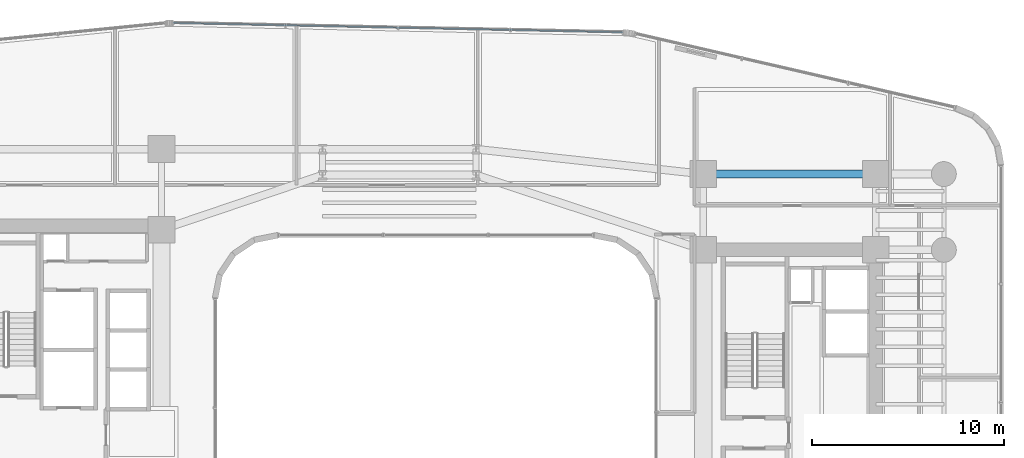
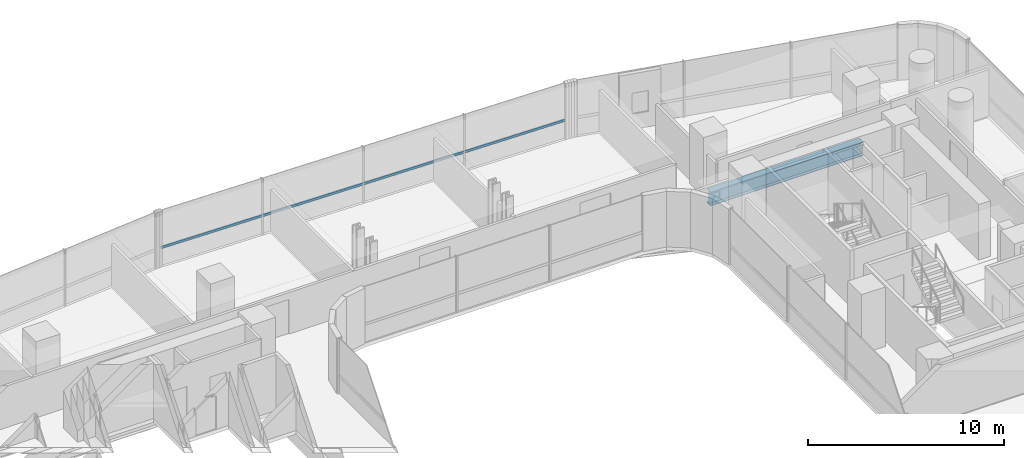
# One storey, part 24 of 40: 1 beam, 1 member, 1 element without a shape of its own.
"""IFC4 building model written with IfcOpenShell, lengths in metres."""

from ifc_helpers import new_model, si_unit, direction, frame, origin, origin_2d, place, context, subcontext, project, spatial, hollow_rectangle, i_section, extrude, source, transform, mapped, material, material_profile, profile_set, type_object, element, aggregate, save


model = new_model("IFC4")

# Units and contexts
model_context = context("Model", 3, precision=1e-05, world=origin(), true_north=direction((0.0, 1.0)))
body_context = subcontext(model_context, "Body", "Model", "MODEL_VIEW")
ifc_project = project(units=[si_unit("LENGTHUNIT", "METRE"), si_unit("AREAUNIT", "SQUARE_METRE"), si_unit("VOLUMEUNIT", "CUBIC_METRE"), si_unit("PLANEANGLEUNIT", "RADIAN"), si_unit("MASSUNIT", "GRAM", prefix="KILO")], contexts=[model_context])

# Site, building, storey
site_placement = place(None, origin())
site = spatial("IfcSite", under=ifc_project, at=site_placement, CompositionType="ELEMENT")
building_placement = place(site_placement, origin())
building = spatial("IfcBuilding", under=site, at=building_placement, Name="Valdorenza Pilgrim Sanctuary Tower", CompositionType="ELEMENT")
storey_placement = place(building_placement, frame((0.0, 0.0, 81.5)))
storey = spatial("IfcBuildingStorey", under=building, at=storey_placement, Name="L20", CompositionType="ELEMENT", Elevation=81.5)

# Beam
ifc_material_1 = material(Name="Steel ASTM A992 Grade 50", Category="steel")
ifc_material_profile_1 = material_profile(ifc_material_1, i_section(OverallWidth=0.39990234375, OverallDepth=0.862060546875, WebThickness=0.019775390625, FlangeThickness=0.032470703125, at=origin_2d()), Name="W33X221")
ifc_profile_set_1 = profile_set([ifc_material_profile_1], Name="Steel ASTM A992 Grade 50")
beam_type = type_object("IfcBeamType", Name="STR-BM-GRD-W33", PredefinedType="BEAM", material=ifc_profile_set_1)
shared_shape_1 = source(origin(), body_context, "Body", "SweptSolid", [
    extrude(i_section(OverallWidth=0.39990234375, OverallDepth=0.862060546875, WebThickness=0.019775390625, FlangeThickness=0.032470703125, at=origin_2d()), origin(), (0.0, 0.0, 1.0), 9.0),
])
beam_placement = place(storey_placement, frame((15.85009765625, 13.5, -0.6708984375), z_axis=(1.0, 0.0, 0.0), x_axis=(0.0, 1.0, 0.0)))
element("IfcBeam", 1, at=beam_placement, inside=storey, type_object=beam_type, Name="L20 Floor Girder CB-XC-N2", PredefinedType="BEAM", context=body_context, shape_type="MappedRepresentation", body=[
    mapped(shared_shape_1, transform((0.0, 0.0, 0.0), x_axis=(1.0, 0.0, 0.0), y_axis=(0.0, 1.0, 0.0), z_axis=(0.0, 0.0, 1.0), scale=1.0)),
])

# Curtain wall, member
ifc_material_2 = material(Name="Curtain-wall IGU glazing", Category="glass")
curtain_wall_type = type_object("IfcCurtainWallType", Name="CW-SYS-02", PredefinedType="NOTDEFINED", material=ifc_material_2)
curtain_wall_placement = place(storey_placement, origin())
curtain_wall = element("IfcCurtainWall", 2, at=curtain_wall_placement, inside=storey, type_object=curtain_wall_type, Name="L20 Curtain Wall CW-L20-1-11", PredefinedType="NOTDEFINED")
ifc_material_3 = material(Name="Anodised aluminium AW-6060", Category="aluminium")
ifc_material_profile_2 = material_profile(ifc_material_3, hollow_rectangle(XDim=0.074951171875, YDim=0.14990234375, WallThickness=0.00390625, at=origin_2d()), Name="ALU-T 150x75x4")
ifc_profile_set_2 = profile_set([ifc_material_profile_2], Name="Anodised aluminium AW-6060")
member_type = type_object("IfcMemberType", Name="CW-TRN-02", PredefinedType="USERDEFINED", material=ifc_profile_set_2)
shared_shape_2 = source(origin(), body_context, "Body", "SweptSolid", [
    extrude(hollow_rectangle(XDim=0.074951171875, YDim=0.14990234375, WallThickness=0.00390625, at=origin_2d()), origin(), (0.0, 0.0, 1.0), 23.479248046875),
])
member_placement = place(storey_placement, frame((-11.808349609375, 21.385986328125, 1.1201171875), z_axis=(0.999783083794, -0.020827514476, 0.0), x_axis=(0.020827514476, 0.999783083794, 0.0)))
member = element("IfcMember", 3, at=member_placement, type_object=member_type, Name="CW-L20-1-11 Transom 1", ObjectType="TRANSOM", PredefinedType="USERDEFINED", context=body_context, shape_type="MappedRepresentation", body=[
    mapped(shared_shape_2, transform((0.0, 0.0, 0.0), x_axis=(1.0, 0.0, 0.0), y_axis=(0.0, 1.0, 0.0), z_axis=(0.0, 0.0, 1.0), scale=1.0)),
])
aggregate(curtain_wall, [member])

save(model, "model.ifc")
